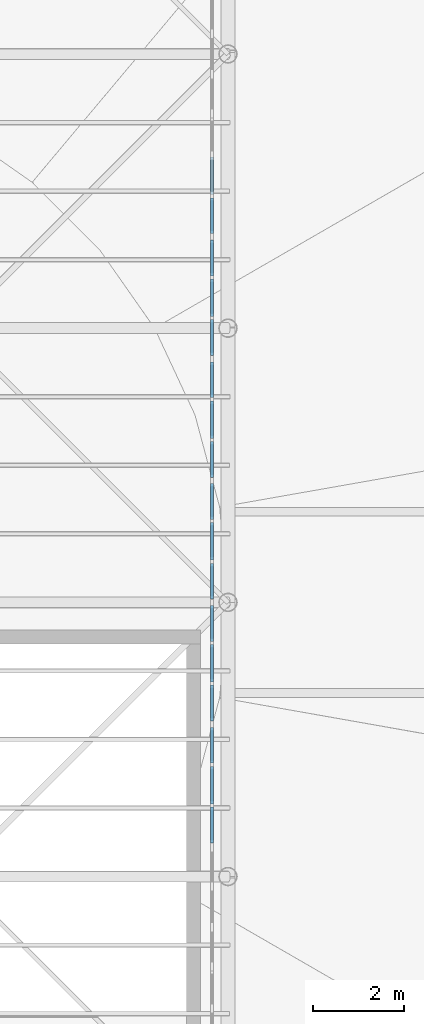
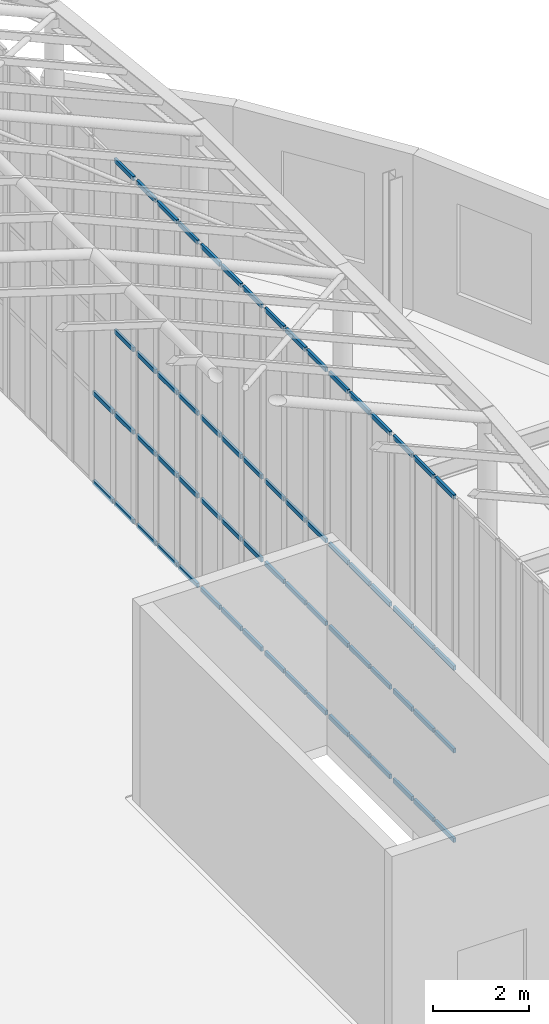
# One storey, part 48 of 75: 66 members, 6 elements without a shape of their own.
"""IFC4 building model written with IfcOpenShell, lengths in metres."""

from ifc_helpers import new_model, si_unit, direction, frame, origin, origin_2d, place, context, subcontext, project, spatial, rectangle, extrude, material, material_profile, profile_set, type_object, element, aggregate, save


model = new_model("IFC4")

# Units and contexts
model_context = context("Model", 3, precision=1e-05, world=origin(), true_north=direction((0.0, 1.0)))
body_context = subcontext(model_context, "Body", "Model", "MODEL_VIEW")
ifc_project = project(units=[si_unit("LENGTHUNIT", "METRE"), si_unit("AREAUNIT", "SQUARE_METRE"), si_unit("VOLUMEUNIT", "CUBIC_METRE"), si_unit("PLANEANGLEUNIT", "RADIAN"), si_unit("MASSUNIT", "GRAM", prefix="KILO")], contexts=[model_context])

# Site, building, storey
site_placement = place(None, origin())
site = spatial("IfcSite", under=ifc_project, at=site_placement, CompositionType="ELEMENT")
building_placement = place(site_placement, origin())
building = spatial("IfcBuilding", under=site, at=building_placement, Name="Kolvaren Corner Interchange", CompositionType="ELEMENT")
storey_placement = place(building_placement, frame((0.0, 0.0, 10.5)))
storey = spatial("IfcBuildingStorey", under=building, at=storey_placement, Name="L03", CompositionType="ELEMENT", Elevation=10.5)

# Curtain wall, members
ifc_material_1 = material(Name="Unitised Aluminium and Solar-Control Glass Curtain Wall", Category="aluminium")
curtain_wall_type = type_object("IfcCurtainWallType", Name="CW-V1-CLER", PredefinedType="NOTDEFINED", material=ifc_material_1)
curtain_wall_1_placement = place(storey_placement, origin())
curtain_wall_1 = element("IfcCurtainWall", 1, at=curtain_wall_1_placement, inside=storey, type_object=curtain_wall_type, Name="Gridshell East End Curtain Wall Bay 05", PredefinedType="NOTDEFINED")
ifc_material_2 = material(Name="Anodised Aluminium Framing", Category="aluminium")
ifc_material_profile = material_profile(ifc_material_2, rectangle(XDim=0.06005859375, YDim=0.110107421875, at=origin_2d()), Name="ALU 60x110")
ifc_profile_set = profile_set([ifc_material_profile], Name="Anodised Aluminium Framing")
member_type = type_object("IfcMemberType", Name="TRN-ALU60x110", PredefinedType="USERDEFINED", material=ifc_profile_set)
member_1_placement = place(storey_placement, frame((131.64990234375, 42.73681640625, 0.030029296875), z_axis=(0.0, 1.0, 0.0), x_axis=(-1.0, 0.0, 0.0)))
member_1 = element("IfcMember", 2, at=member_1_placement, type_object=member_type, Name="CW-098 transom 1.1", ObjectType="TRANSOM", PredefinedType="USERDEFINED", context=body_context, shape_type="SweptSolid", body=[
    extrude(rectangle(XDim=0.06005859375, YDim=0.110107421875, at=origin_2d()), origin(), (0.0, 0.0, 1.0), 0.78369140625),
])
member_2_placement = place(storey_placement, frame((131.64990234375, 42.73681640625, 2.300048828125), z_axis=(0.0, 1.0, 0.0), x_axis=(-1.0, 0.0, 0.0)))
member_2 = element("IfcMember", 3, at=member_2_placement, type_object=member_type, Name="CW-098 transom 1.2", ObjectType="TRANSOM", PredefinedType="USERDEFINED", context=body_context, shape_type="SweptSolid", body=[
    extrude(rectangle(XDim=0.06005859375, YDim=0.110107421875, at=origin_2d()), origin(), (0.0, 0.0, 1.0), 0.78369140625),
])
member_3_placement = place(storey_placement, frame((131.64990234375, 42.73681640625, 4.39990234375), z_axis=(0.0, 1.0, 0.0), x_axis=(-1.0, 0.0, 0.0)))
member_3 = element("IfcMember", 4, at=member_3_placement, type_object=member_type, Name="CW-098 transom 1.3", ObjectType="TRANSOM", PredefinedType="USERDEFINED", context=body_context, shape_type="SweptSolid", body=[
    extrude(rectangle(XDim=0.06005859375, YDim=0.110107421875, at=origin_2d()), origin(), (0.0, 0.0, 1.0), 0.78369140625),
])
member_4_placement = place(storey_placement, frame((131.64990234375, 42.73681640625, 8.741943359375), z_axis=(0.0, 1.0, 0.0), x_axis=(-1.0, 0.0, 0.0)))
member_4 = element("IfcMember", 5, at=member_4_placement, type_object=member_type, Name="CW-098 transom 1.4", ObjectType="TRANSOM", PredefinedType="USERDEFINED", context=body_context, shape_type="SweptSolid", body=[
    extrude(rectangle(XDim=0.06005859375, YDim=0.110107421875, at=origin_2d()), origin(), (0.0, 0.0, 1.0), 0.78369140625),
])
member_5_placement = place(storey_placement, frame((131.64990234375, 43.590576171875, 0.030029296875), z_axis=(0.0, 1.0, 0.0), x_axis=(-1.0, 0.0, 0.0)))
member_5 = element("IfcMember", 6, at=member_5_placement, type_object=member_type, Name="CW-098 transom 2.1", ObjectType="TRANSOM", PredefinedType="USERDEFINED", context=body_context, shape_type="SweptSolid", body=[
    extrude(rectangle(XDim=0.06005859375, YDim=0.110107421875, at=origin_2d()), origin(), (0.0, 0.0, 1.0), 0.81884765625),
])
member_6_placement = place(storey_placement, frame((131.64990234375, 43.590576171875, 2.300048828125), z_axis=(0.0, 1.0, 0.0), x_axis=(-1.0, 0.0, 0.0)))
member_6 = element("IfcMember", 7, at=member_6_placement, type_object=member_type, Name="CW-098 transom 2.2", ObjectType="TRANSOM", PredefinedType="USERDEFINED", context=body_context, shape_type="SweptSolid", body=[
    extrude(rectangle(XDim=0.06005859375, YDim=0.110107421875, at=origin_2d()), origin(), (0.0, 0.0, 1.0), 0.81884765625),
])
member_7_placement = place(storey_placement, frame((131.64990234375, 43.590576171875, 4.39990234375), z_axis=(0.0, 1.0, 0.0), x_axis=(-1.0, 0.0, 0.0)))
member_7 = element("IfcMember", 8, at=member_7_placement, type_object=member_type, Name="CW-098 transom 2.3", ObjectType="TRANSOM", PredefinedType="USERDEFINED", context=body_context, shape_type="SweptSolid", body=[
    extrude(rectangle(XDim=0.06005859375, YDim=0.110107421875, at=origin_2d()), origin(), (0.0, 0.0, 1.0), 0.81884765625),
])
member_8_placement = place(storey_placement, frame((131.64990234375, 43.590576171875, 8.741943359375), z_axis=(0.0, 1.0, 0.0), x_axis=(-1.0, 0.0, 0.0)))
member_8 = element("IfcMember", 9, at=member_8_placement, type_object=member_type, Name="CW-098 transom 2.4", ObjectType="TRANSOM", PredefinedType="USERDEFINED", context=body_context, shape_type="SweptSolid", body=[
    extrude(rectangle(XDim=0.06005859375, YDim=0.110107421875, at=origin_2d()), origin(), (0.0, 0.0, 1.0), 0.81884765625),
])
member_9_placement = place(storey_placement, frame((131.64990234375, 44.4794921875, 0.030029296875), z_axis=(0.0, 1.0, 0.0), x_axis=(-1.0, 0.0, 0.0)))
member_9 = element("IfcMember", 10, at=member_9_placement, type_object=member_type, Name="CW-098 transom 3.1", ObjectType="TRANSOM", PredefinedType="USERDEFINED", context=body_context, shape_type="SweptSolid", body=[
    extrude(rectangle(XDim=0.06005859375, YDim=0.110107421875, at=origin_2d()), origin(), (0.0, 0.0, 1.0), 0.78369140625),
])
member_10_placement = place(storey_placement, frame((131.64990234375, 44.4794921875, 2.300048828125), z_axis=(0.0, 1.0, 0.0), x_axis=(-1.0, 0.0, 0.0)))
member_10 = element("IfcMember", 11, at=member_10_placement, type_object=member_type, Name="CW-098 transom 3.2", ObjectType="TRANSOM", PredefinedType="USERDEFINED", context=body_context, shape_type="SweptSolid", body=[
    extrude(rectangle(XDim=0.06005859375, YDim=0.110107421875, at=origin_2d()), origin(), (0.0, 0.0, 1.0), 0.78369140625),
])
member_11_placement = place(storey_placement, frame((131.64990234375, 44.4794921875, 4.39990234375), z_axis=(0.0, 1.0, 0.0), x_axis=(-1.0, 0.0, 0.0)))
member_11 = element("IfcMember", 12, at=member_11_placement, type_object=member_type, Name="CW-098 transom 3.3", ObjectType="TRANSOM", PredefinedType="USERDEFINED", context=body_context, shape_type="SweptSolid", body=[
    extrude(rectangle(XDim=0.06005859375, YDim=0.110107421875, at=origin_2d()), origin(), (0.0, 0.0, 1.0), 0.78369140625),
])
member_12_placement = place(storey_placement, frame((131.64990234375, 44.4794921875, 8.741943359375), z_axis=(0.0, 1.0, 0.0), x_axis=(-1.0, 0.0, 0.0)))
member_12 = element("IfcMember", 13, at=member_12_placement, type_object=member_type, Name="CW-098 transom 3.4", ObjectType="TRANSOM", PredefinedType="USERDEFINED", context=body_context, shape_type="SweptSolid", body=[
    extrude(rectangle(XDim=0.06005859375, YDim=0.110107421875, at=origin_2d()), origin(), (0.0, 0.0, 1.0), 0.78369140625),
])
aggregate(curtain_wall_1, [member_1, member_2, member_3, member_4, member_5, member_6, member_7, member_8, member_9, member_10, member_11, member_12])

curtain_wall_2_placement = place(storey_placement, origin())
curtain_wall_2 = element("IfcCurtainWall", 14, at=curtain_wall_2_placement, inside=storey, type_object=curtain_wall_type, Name="Gridshell East End Curtain Wall Bay 06", PredefinedType="NOTDEFINED")
member_13_placement = place(storey_placement, frame((131.64990234375, 45.4033203125, 0.030029296875), z_axis=(0.0, 1.0, 0.0), x_axis=(-1.0, 0.0, 0.0)))
member_13 = element("IfcMember", 15, at=member_13_placement, type_object=member_type, Name="CW-099 transom 1.1", ObjectType="TRANSOM", PredefinedType="USERDEFINED", context=body_context, shape_type="SweptSolid", body=[
    extrude(rectangle(XDim=0.06005859375, YDim=0.110107421875, at=origin_2d()), origin(), (0.0, 0.0, 1.0), 0.783935546875),
])
member_14_placement = place(storey_placement, frame((131.64990234375, 45.4033203125, 2.300048828125), z_axis=(0.0, 1.0, 0.0), x_axis=(-1.0, 0.0, 0.0)))
member_14 = element("IfcMember", 16, at=member_14_placement, type_object=member_type, Name="CW-099 transom 1.2", ObjectType="TRANSOM", PredefinedType="USERDEFINED", context=body_context, shape_type="SweptSolid", body=[
    extrude(rectangle(XDim=0.06005859375, YDim=0.110107421875, at=origin_2d()), origin(), (0.0, 0.0, 1.0), 0.783935546875),
])
member_15_placement = place(storey_placement, frame((131.64990234375, 45.4033203125, 4.39990234375), z_axis=(0.0, 1.0, 0.0), x_axis=(-1.0, 0.0, 0.0)))
member_15 = element("IfcMember", 17, at=member_15_placement, type_object=member_type, Name="CW-099 transom 1.3", ObjectType="TRANSOM", PredefinedType="USERDEFINED", context=body_context, shape_type="SweptSolid", body=[
    extrude(rectangle(XDim=0.06005859375, YDim=0.110107421875, at=origin_2d()), origin(), (0.0, 0.0, 1.0), 0.783935546875),
])
member_16_placement = place(storey_placement, frame((131.64990234375, 45.4033203125, 8.741943359375), z_axis=(0.0, 1.0, 0.0), x_axis=(-1.0, 0.0, 0.0)))
member_16 = element("IfcMember", 18, at=member_16_placement, type_object=member_type, Name="CW-099 transom 1.4", ObjectType="TRANSOM", PredefinedType="USERDEFINED", context=body_context, shape_type="SweptSolid", body=[
    extrude(rectangle(XDim=0.06005859375, YDim=0.110107421875, at=origin_2d()), origin(), (0.0, 0.0, 1.0), 0.783935546875),
])
member_17_placement = place(storey_placement, frame((131.64990234375, 46.257080078125, 0.030029296875), z_axis=(0.0, 1.0, 0.0), x_axis=(-1.0, 0.0, 0.0)))
member_17 = element("IfcMember", 19, at=member_17_placement, type_object=member_type, Name="CW-099 transom 2.1", ObjectType="TRANSOM", PredefinedType="USERDEFINED", context=body_context, shape_type="SweptSolid", body=[
    extrude(rectangle(XDim=0.06005859375, YDim=0.110107421875, at=origin_2d()), origin(), (0.0, 0.0, 1.0), 0.819091796875),
])
member_18_placement = place(storey_placement, frame((131.64990234375, 46.257080078125, 2.300048828125), z_axis=(0.0, 1.0, 0.0), x_axis=(-1.0, 0.0, 0.0)))
member_18 = element("IfcMember", 20, at=member_18_placement, type_object=member_type, Name="CW-099 transom 2.2", ObjectType="TRANSOM", PredefinedType="USERDEFINED", context=body_context, shape_type="SweptSolid", body=[
    extrude(rectangle(XDim=0.06005859375, YDim=0.110107421875, at=origin_2d()), origin(), (0.0, 0.0, 1.0), 0.819091796875),
])
member_19_placement = place(storey_placement, frame((131.64990234375, 46.257080078125, 4.39990234375), z_axis=(0.0, 1.0, 0.0), x_axis=(-1.0, 0.0, 0.0)))
member_19 = element("IfcMember", 21, at=member_19_placement, type_object=member_type, Name="CW-099 transom 2.3", ObjectType="TRANSOM", PredefinedType="USERDEFINED", context=body_context, shape_type="SweptSolid", body=[
    extrude(rectangle(XDim=0.06005859375, YDim=0.110107421875, at=origin_2d()), origin(), (0.0, 0.0, 1.0), 0.819091796875),
])
member_20_placement = place(storey_placement, frame((131.64990234375, 46.257080078125, 8.741943359375), z_axis=(0.0, 1.0, 0.0), x_axis=(-1.0, 0.0, 0.0)))
member_20 = element("IfcMember", 22, at=member_20_placement, type_object=member_type, Name="CW-099 transom 2.4", ObjectType="TRANSOM", PredefinedType="USERDEFINED", context=body_context, shape_type="SweptSolid", body=[
    extrude(rectangle(XDim=0.06005859375, YDim=0.110107421875, at=origin_2d()), origin(), (0.0, 0.0, 1.0), 0.819091796875),
])
member_21_placement = place(storey_placement, frame((131.64990234375, 47.14599609375, 0.030029296875), z_axis=(0.0, 1.0, 0.0), x_axis=(-1.0, 0.0, 0.0)))
member_21 = element("IfcMember", 23, at=member_21_placement, type_object=member_type, Name="CW-099 transom 3.1", ObjectType="TRANSOM", PredefinedType="USERDEFINED", context=body_context, shape_type="SweptSolid", body=[
    extrude(rectangle(XDim=0.06005859375, YDim=0.110107421875, at=origin_2d()), origin(), (0.0, 0.0, 1.0), 0.783935546875),
])
member_22_placement = place(storey_placement, frame((131.64990234375, 47.14599609375, 2.300048828125), z_axis=(0.0, 1.0, 0.0), x_axis=(-1.0, 0.0, 0.0)))
member_22 = element("IfcMember", 24, at=member_22_placement, type_object=member_type, Name="CW-099 transom 3.2", ObjectType="TRANSOM", PredefinedType="USERDEFINED", context=body_context, shape_type="SweptSolid", body=[
    extrude(rectangle(XDim=0.06005859375, YDim=0.110107421875, at=origin_2d()), origin(), (0.0, 0.0, 1.0), 0.783935546875),
])
member_23_placement = place(storey_placement, frame((131.64990234375, 47.14599609375, 4.39990234375), z_axis=(0.0, 1.0, 0.0), x_axis=(-1.0, 0.0, 0.0)))
member_23 = element("IfcMember", 25, at=member_23_placement, type_object=member_type, Name="CW-099 transom 3.3", ObjectType="TRANSOM", PredefinedType="USERDEFINED", context=body_context, shape_type="SweptSolid", body=[
    extrude(rectangle(XDim=0.06005859375, YDim=0.110107421875, at=origin_2d()), origin(), (0.0, 0.0, 1.0), 0.783935546875),
])
member_24_placement = place(storey_placement, frame((131.64990234375, 47.14599609375, 8.741943359375), z_axis=(0.0, 1.0, 0.0), x_axis=(-1.0, 0.0, 0.0)))
member_24 = element("IfcMember", 26, at=member_24_placement, type_object=member_type, Name="CW-099 transom 3.4", ObjectType="TRANSOM", PredefinedType="USERDEFINED", context=body_context, shape_type="SweptSolid", body=[
    extrude(rectangle(XDim=0.06005859375, YDim=0.110107421875, at=origin_2d()), origin(), (0.0, 0.0, 1.0), 0.783935546875),
])
aggregate(curtain_wall_2, [member_13, member_14, member_15, member_16, member_17, member_18, member_19, member_20, member_21, member_22, member_23, member_24])

curtain_wall_3_placement = place(storey_placement, origin())
curtain_wall_3 = element("IfcCurtainWall", 27, at=curtain_wall_3_placement, inside=storey, type_object=curtain_wall_type, Name="Gridshell East End Curtain Wall Bay 07", PredefinedType="NOTDEFINED")
member_25_placement = place(storey_placement, frame((131.64990234375, 48.070068359375, 0.030029296875), z_axis=(0.0, 1.0, 0.0), x_axis=(-1.0, 0.0, 0.0)))
member_25 = element("IfcMember", 28, at=member_25_placement, type_object=member_type, Name="CW-100 transom 1.1", ObjectType="TRANSOM", PredefinedType="USERDEFINED", context=body_context, shape_type="SweptSolid", body=[
    extrude(rectangle(XDim=0.06005859375, YDim=0.110107421875, at=origin_2d()), origin(), (0.0, 0.0, 1.0), 0.783935546875),
])
member_26_placement = place(storey_placement, frame((131.64990234375, 48.070068359375, 2.300048828125), z_axis=(0.0, 1.0, 0.0), x_axis=(-1.0, 0.0, 0.0)))
member_26 = element("IfcMember", 29, at=member_26_placement, type_object=member_type, Name="CW-100 transom 1.2", ObjectType="TRANSOM", PredefinedType="USERDEFINED", context=body_context, shape_type="SweptSolid", body=[
    extrude(rectangle(XDim=0.06005859375, YDim=0.110107421875, at=origin_2d()), origin(), (0.0, 0.0, 1.0), 0.783935546875),
])
member_27_placement = place(storey_placement, frame((131.64990234375, 48.070068359375, 4.39990234375), z_axis=(0.0, 1.0, 0.0), x_axis=(-1.0, 0.0, 0.0)))
member_27 = element("IfcMember", 30, at=member_27_placement, type_object=member_type, Name="CW-100 transom 1.3", ObjectType="TRANSOM", PredefinedType="USERDEFINED", context=body_context, shape_type="SweptSolid", body=[
    extrude(rectangle(XDim=0.06005859375, YDim=0.110107421875, at=origin_2d()), origin(), (0.0, 0.0, 1.0), 0.783935546875),
])
member_28_placement = place(storey_placement, frame((131.64990234375, 48.070068359375, 8.741943359375), z_axis=(0.0, 1.0, 0.0), x_axis=(-1.0, 0.0, 0.0)))
member_28 = element("IfcMember", 31, at=member_28_placement, type_object=member_type, Name="CW-100 transom 1.4", ObjectType="TRANSOM", PredefinedType="USERDEFINED", context=body_context, shape_type="SweptSolid", body=[
    extrude(rectangle(XDim=0.06005859375, YDim=0.110107421875, at=origin_2d()), origin(), (0.0, 0.0, 1.0), 0.783935546875),
])
member_29_placement = place(storey_placement, frame((131.64990234375, 48.923828125, 0.030029296875), z_axis=(0.0, 1.0, 0.0), x_axis=(-1.0, 0.0, 0.0)))
member_29 = element("IfcMember", 32, at=member_29_placement, type_object=member_type, Name="CW-100 transom 2.1", ObjectType="TRANSOM", PredefinedType="USERDEFINED", context=body_context, shape_type="SweptSolid", body=[
    extrude(rectangle(XDim=0.06005859375, YDim=0.110107421875, at=origin_2d()), origin(), (0.0, 0.0, 1.0), 0.819091796875),
])
member_30_placement = place(storey_placement, frame((131.64990234375, 48.923828125, 2.300048828125), z_axis=(0.0, 1.0, 0.0), x_axis=(-1.0, 0.0, 0.0)))
member_30 = element("IfcMember", 33, at=member_30_placement, type_object=member_type, Name="CW-100 transom 2.2", ObjectType="TRANSOM", PredefinedType="USERDEFINED", context=body_context, shape_type="SweptSolid", body=[
    extrude(rectangle(XDim=0.06005859375, YDim=0.110107421875, at=origin_2d()), origin(), (0.0, 0.0, 1.0), 0.819091796875),
])
member_31_placement = place(storey_placement, frame((131.64990234375, 48.923828125, 4.39990234375), z_axis=(0.0, 1.0, 0.0), x_axis=(-1.0, 0.0, 0.0)))
member_31 = element("IfcMember", 34, at=member_31_placement, type_object=member_type, Name="CW-100 transom 2.3", ObjectType="TRANSOM", PredefinedType="USERDEFINED", context=body_context, shape_type="SweptSolid", body=[
    extrude(rectangle(XDim=0.06005859375, YDim=0.110107421875, at=origin_2d()), origin(), (0.0, 0.0, 1.0), 0.819091796875),
])
member_32_placement = place(storey_placement, frame((131.64990234375, 48.923828125, 8.741943359375), z_axis=(0.0, 1.0, 0.0), x_axis=(-1.0, 0.0, 0.0)))
member_32 = element("IfcMember", 35, at=member_32_placement, type_object=member_type, Name="CW-100 transom 2.4", ObjectType="TRANSOM", PredefinedType="USERDEFINED", context=body_context, shape_type="SweptSolid", body=[
    extrude(rectangle(XDim=0.06005859375, YDim=0.110107421875, at=origin_2d()), origin(), (0.0, 0.0, 1.0), 0.819091796875),
])
member_33_placement = place(storey_placement, frame((131.64990234375, 49.812744140625, 0.030029296875), z_axis=(0.0, 1.0, 0.0), x_axis=(-1.0, 0.0, 0.0)))
member_33 = element("IfcMember", 36, at=member_33_placement, type_object=member_type, Name="CW-100 transom 3.1", ObjectType="TRANSOM", PredefinedType="USERDEFINED", context=body_context, shape_type="SweptSolid", body=[
    extrude(rectangle(XDim=0.06005859375, YDim=0.110107421875, at=origin_2d()), origin(), (0.0, 0.0, 1.0), 0.783935546875),
])
member_34_placement = place(storey_placement, frame((131.64990234375, 49.812744140625, 2.300048828125), z_axis=(0.0, 1.0, 0.0), x_axis=(-1.0, 0.0, 0.0)))
member_34 = element("IfcMember", 37, at=member_34_placement, type_object=member_type, Name="CW-100 transom 3.2", ObjectType="TRANSOM", PredefinedType="USERDEFINED", context=body_context, shape_type="SweptSolid", body=[
    extrude(rectangle(XDim=0.06005859375, YDim=0.110107421875, at=origin_2d()), origin(), (0.0, 0.0, 1.0), 0.783935546875),
])
member_35_placement = place(storey_placement, frame((131.64990234375, 49.812744140625, 4.39990234375), z_axis=(0.0, 1.0, 0.0), x_axis=(-1.0, 0.0, 0.0)))
member_35 = element("IfcMember", 38, at=member_35_placement, type_object=member_type, Name="CW-100 transom 3.3", ObjectType="TRANSOM", PredefinedType="USERDEFINED", context=body_context, shape_type="SweptSolid", body=[
    extrude(rectangle(XDim=0.06005859375, YDim=0.110107421875, at=origin_2d()), origin(), (0.0, 0.0, 1.0), 0.783935546875),
])
member_36_placement = place(storey_placement, frame((131.64990234375, 49.812744140625, 8.741943359375), z_axis=(0.0, 1.0, 0.0), x_axis=(-1.0, 0.0, 0.0)))
member_36 = element("IfcMember", 39, at=member_36_placement, type_object=member_type, Name="CW-100 transom 3.4", ObjectType="TRANSOM", PredefinedType="USERDEFINED", context=body_context, shape_type="SweptSolid", body=[
    extrude(rectangle(XDim=0.06005859375, YDim=0.110107421875, at=origin_2d()), origin(), (0.0, 0.0, 1.0), 0.783935546875),
])
aggregate(curtain_wall_3, [member_25, member_26, member_27, member_28, member_29, member_30, member_31, member_32, member_33, member_34, member_35, member_36])

curtain_wall_4_placement = place(storey_placement, origin())
curtain_wall_4 = element("IfcCurtainWall", 40, at=curtain_wall_4_placement, inside=storey, type_object=curtain_wall_type, Name="Gridshell East End Curtain Wall Bay 08", PredefinedType="NOTDEFINED")
member_37_placement = place(storey_placement, frame((131.64990234375, 50.73681640625, 0.030029296875), z_axis=(0.0, 1.0, 0.0), x_axis=(-1.0, 0.0, 0.0)))
member_37 = element("IfcMember", 41, at=member_37_placement, type_object=member_type, Name="CW-101 transom 1.1", ObjectType="TRANSOM", PredefinedType="USERDEFINED", context=body_context, shape_type="SweptSolid", body=[
    extrude(rectangle(XDim=0.06005859375, YDim=0.110107421875, at=origin_2d()), origin(), (0.0, 0.0, 1.0), 0.78369140625),
])
member_38_placement = place(storey_placement, frame((131.64990234375, 50.73681640625, 2.300048828125), z_axis=(0.0, 1.0, 0.0), x_axis=(-1.0, 0.0, 0.0)))
member_38 = element("IfcMember", 42, at=member_38_placement, type_object=member_type, Name="CW-101 transom 1.2", ObjectType="TRANSOM", PredefinedType="USERDEFINED", context=body_context, shape_type="SweptSolid", body=[
    extrude(rectangle(XDim=0.06005859375, YDim=0.110107421875, at=origin_2d()), origin(), (0.0, 0.0, 1.0), 0.78369140625),
])
member_39_placement = place(storey_placement, frame((131.64990234375, 50.73681640625, 4.39990234375), z_axis=(0.0, 1.0, 0.0), x_axis=(-1.0, 0.0, 0.0)))
member_39 = element("IfcMember", 43, at=member_39_placement, type_object=member_type, Name="CW-101 transom 1.3", ObjectType="TRANSOM", PredefinedType="USERDEFINED", context=body_context, shape_type="SweptSolid", body=[
    extrude(rectangle(XDim=0.06005859375, YDim=0.110107421875, at=origin_2d()), origin(), (0.0, 0.0, 1.0), 0.78369140625),
])
member_40_placement = place(storey_placement, frame((131.64990234375, 50.73681640625, 8.741943359375), z_axis=(0.0, 1.0, 0.0), x_axis=(-1.0, 0.0, 0.0)))
member_40 = element("IfcMember", 44, at=member_40_placement, type_object=member_type, Name="CW-101 transom 1.4", ObjectType="TRANSOM", PredefinedType="USERDEFINED", context=body_context, shape_type="SweptSolid", body=[
    extrude(rectangle(XDim=0.06005859375, YDim=0.110107421875, at=origin_2d()), origin(), (0.0, 0.0, 1.0), 0.78369140625),
])
member_41_placement = place(storey_placement, frame((131.64990234375, 51.590576171875, 0.030029296875), z_axis=(0.0, 1.0, 0.0), x_axis=(-1.0, 0.0, 0.0)))
member_41 = element("IfcMember", 45, at=member_41_placement, type_object=member_type, Name="CW-101 transom 2.1", ObjectType="TRANSOM", PredefinedType="USERDEFINED", context=body_context, shape_type="SweptSolid", body=[
    extrude(rectangle(XDim=0.06005859375, YDim=0.110107421875, at=origin_2d()), origin(), (0.0, 0.0, 1.0), 0.81884765625),
])
member_42_placement = place(storey_placement, frame((131.64990234375, 51.590576171875, 2.300048828125), z_axis=(0.0, 1.0, 0.0), x_axis=(-1.0, 0.0, 0.0)))
member_42 = element("IfcMember", 46, at=member_42_placement, type_object=member_type, Name="CW-101 transom 2.2", ObjectType="TRANSOM", PredefinedType="USERDEFINED", context=body_context, shape_type="SweptSolid", body=[
    extrude(rectangle(XDim=0.06005859375, YDim=0.110107421875, at=origin_2d()), origin(), (0.0, 0.0, 1.0), 0.81884765625),
])
member_43_placement = place(storey_placement, frame((131.64990234375, 51.590576171875, 4.39990234375), z_axis=(0.0, 1.0, 0.0), x_axis=(-1.0, 0.0, 0.0)))
member_43 = element("IfcMember", 47, at=member_43_placement, type_object=member_type, Name="CW-101 transom 2.3", ObjectType="TRANSOM", PredefinedType="USERDEFINED", context=body_context, shape_type="SweptSolid", body=[
    extrude(rectangle(XDim=0.06005859375, YDim=0.110107421875, at=origin_2d()), origin(), (0.0, 0.0, 1.0), 0.81884765625),
])
member_44_placement = place(storey_placement, frame((131.64990234375, 51.590576171875, 8.741943359375), z_axis=(0.0, 1.0, 0.0), x_axis=(-1.0, 0.0, 0.0)))
member_44 = element("IfcMember", 48, at=member_44_placement, type_object=member_type, Name="CW-101 transom 2.4", ObjectType="TRANSOM", PredefinedType="USERDEFINED", context=body_context, shape_type="SweptSolid", body=[
    extrude(rectangle(XDim=0.06005859375, YDim=0.110107421875, at=origin_2d()), origin(), (0.0, 0.0, 1.0), 0.81884765625),
])
member_45_placement = place(storey_placement, frame((131.64990234375, 52.4794921875, 0.030029296875), z_axis=(0.0, 1.0, 0.0), x_axis=(-1.0, 0.0, 0.0)))
member_45 = element("IfcMember", 49, at=member_45_placement, type_object=member_type, Name="CW-101 transom 3.1", ObjectType="TRANSOM", PredefinedType="USERDEFINED", context=body_context, shape_type="SweptSolid", body=[
    extrude(rectangle(XDim=0.06005859375, YDim=0.110107421875, at=origin_2d()), origin(), (0.0, 0.0, 1.0), 0.78369140625),
])
member_46_placement = place(storey_placement, frame((131.64990234375, 52.4794921875, 2.300048828125), z_axis=(0.0, 1.0, 0.0), x_axis=(-1.0, 0.0, 0.0)))
member_46 = element("IfcMember", 50, at=member_46_placement, type_object=member_type, Name="CW-101 transom 3.2", ObjectType="TRANSOM", PredefinedType="USERDEFINED", context=body_context, shape_type="SweptSolid", body=[
    extrude(rectangle(XDim=0.06005859375, YDim=0.110107421875, at=origin_2d()), origin(), (0.0, 0.0, 1.0), 0.78369140625),
])
member_47_placement = place(storey_placement, frame((131.64990234375, 52.4794921875, 4.39990234375), z_axis=(0.0, 1.0, 0.0), x_axis=(-1.0, 0.0, 0.0)))
member_47 = element("IfcMember", 51, at=member_47_placement, type_object=member_type, Name="CW-101 transom 3.3", ObjectType="TRANSOM", PredefinedType="USERDEFINED", context=body_context, shape_type="SweptSolid", body=[
    extrude(rectangle(XDim=0.06005859375, YDim=0.110107421875, at=origin_2d()), origin(), (0.0, 0.0, 1.0), 0.78369140625),
])
member_48_placement = place(storey_placement, frame((131.64990234375, 52.4794921875, 8.741943359375), z_axis=(0.0, 1.0, 0.0), x_axis=(-1.0, 0.0, 0.0)))
member_48 = element("IfcMember", 52, at=member_48_placement, type_object=member_type, Name="CW-101 transom 3.4", ObjectType="TRANSOM", PredefinedType="USERDEFINED", context=body_context, shape_type="SweptSolid", body=[
    extrude(rectangle(XDim=0.06005859375, YDim=0.110107421875, at=origin_2d()), origin(), (0.0, 0.0, 1.0), 0.78369140625),
])
aggregate(curtain_wall_4, [member_37, member_38, member_39, member_40, member_41, member_42, member_43, member_44, member_45, member_46, member_47, member_48])

curtain_wall_5_placement = place(storey_placement, origin())
curtain_wall_5 = element("IfcCurtainWall", 53, at=curtain_wall_5_placement, inside=storey, type_object=curtain_wall_type, Name="Gridshell East End Curtain Wall Bay 09", PredefinedType="NOTDEFINED")
member_49_placement = place(storey_placement, frame((131.64990234375, 53.4033203125, 0.030029296875), z_axis=(0.0, 1.0, 0.0), x_axis=(-1.0, 0.0, 0.0)))
member_49 = element("IfcMember", 54, at=member_49_placement, type_object=member_type, Name="CW-102 transom 1.1", ObjectType="TRANSOM", PredefinedType="USERDEFINED", context=body_context, shape_type="SweptSolid", body=[
    extrude(rectangle(XDim=0.06005859375, YDim=0.110107421875, at=origin_2d()), origin(), (0.0, 0.0, 1.0), 0.783935546875),
])
member_50_placement = place(storey_placement, frame((131.64990234375, 53.4033203125, 2.300048828125), z_axis=(0.0, 1.0, 0.0), x_axis=(-1.0, 0.0, 0.0)))
member_50 = element("IfcMember", 55, at=member_50_placement, type_object=member_type, Name="CW-102 transom 1.2", ObjectType="TRANSOM", PredefinedType="USERDEFINED", context=body_context, shape_type="SweptSolid", body=[
    extrude(rectangle(XDim=0.06005859375, YDim=0.110107421875, at=origin_2d()), origin(), (0.0, 0.0, 1.0), 0.783935546875),
])
member_51_placement = place(storey_placement, frame((131.64990234375, 53.4033203125, 4.39990234375), z_axis=(0.0, 1.0, 0.0), x_axis=(-1.0, 0.0, 0.0)))
member_51 = element("IfcMember", 56, at=member_51_placement, type_object=member_type, Name="CW-102 transom 1.3", ObjectType="TRANSOM", PredefinedType="USERDEFINED", context=body_context, shape_type="SweptSolid", body=[
    extrude(rectangle(XDim=0.06005859375, YDim=0.110107421875, at=origin_2d()), origin(), (0.0, 0.0, 1.0), 0.783935546875),
])
member_52_placement = place(storey_placement, frame((131.64990234375, 53.4033203125, 8.741943359375), z_axis=(0.0, 1.0, 0.0), x_axis=(-1.0, 0.0, 0.0)))
member_52 = element("IfcMember", 57, at=member_52_placement, type_object=member_type, Name="CW-102 transom 1.4", ObjectType="TRANSOM", PredefinedType="USERDEFINED", context=body_context, shape_type="SweptSolid", body=[
    extrude(rectangle(XDim=0.06005859375, YDim=0.110107421875, at=origin_2d()), origin(), (0.0, 0.0, 1.0), 0.783935546875),
])
member_53_placement = place(storey_placement, frame((131.64990234375, 54.257080078125, 0.030029296875), z_axis=(0.0, 1.0, 0.0), x_axis=(-1.0, 0.0, 0.0)))
member_53 = element("IfcMember", 58, at=member_53_placement, type_object=member_type, Name="CW-102 transom 2.1", ObjectType="TRANSOM", PredefinedType="USERDEFINED", context=body_context, shape_type="SweptSolid", body=[
    extrude(rectangle(XDim=0.06005859375, YDim=0.110107421875, at=origin_2d()), origin(), (0.0, 0.0, 1.0), 0.819091796875),
])
member_54_placement = place(storey_placement, frame((131.64990234375, 54.257080078125, 2.300048828125), z_axis=(0.0, 1.0, 0.0), x_axis=(-1.0, 0.0, 0.0)))
member_54 = element("IfcMember", 59, at=member_54_placement, type_object=member_type, Name="CW-102 transom 2.2", ObjectType="TRANSOM", PredefinedType="USERDEFINED", context=body_context, shape_type="SweptSolid", body=[
    extrude(rectangle(XDim=0.06005859375, YDim=0.110107421875, at=origin_2d()), origin(), (0.0, 0.0, 1.0), 0.819091796875),
])
member_55_placement = place(storey_placement, frame((131.64990234375, 54.257080078125, 4.39990234375), z_axis=(0.0, 1.0, 0.0), x_axis=(-1.0, 0.0, 0.0)))
member_55 = element("IfcMember", 60, at=member_55_placement, type_object=member_type, Name="CW-102 transom 2.3", ObjectType="TRANSOM", PredefinedType="USERDEFINED", context=body_context, shape_type="SweptSolid", body=[
    extrude(rectangle(XDim=0.06005859375, YDim=0.110107421875, at=origin_2d()), origin(), (0.0, 0.0, 1.0), 0.819091796875),
])
member_56_placement = place(storey_placement, frame((131.64990234375, 54.257080078125, 8.741943359375), z_axis=(0.0, 1.0, 0.0), x_axis=(-1.0, 0.0, 0.0)))
member_56 = element("IfcMember", 61, at=member_56_placement, type_object=member_type, Name="CW-102 transom 2.4", ObjectType="TRANSOM", PredefinedType="USERDEFINED", context=body_context, shape_type="SweptSolid", body=[
    extrude(rectangle(XDim=0.06005859375, YDim=0.110107421875, at=origin_2d()), origin(), (0.0, 0.0, 1.0), 0.819091796875),
])
member_57_placement = place(storey_placement, frame((131.64990234375, 55.14599609375, 0.030029296875), z_axis=(0.0, 1.0, 0.0), x_axis=(-1.0, 0.0, 0.0)))
member_57 = element("IfcMember", 62, at=member_57_placement, type_object=member_type, Name="CW-102 transom 3.1", ObjectType="TRANSOM", PredefinedType="USERDEFINED", context=body_context, shape_type="SweptSolid", body=[
    extrude(rectangle(XDim=0.06005859375, YDim=0.110107421875, at=origin_2d()), origin(), (0.0, 0.0, 1.0), 0.783935546875),
])
member_58_placement = place(storey_placement, frame((131.64990234375, 55.14599609375, 2.300048828125), z_axis=(0.0, 1.0, 0.0), x_axis=(-1.0, 0.0, 0.0)))
member_58 = element("IfcMember", 63, at=member_58_placement, type_object=member_type, Name="CW-102 transom 3.2", ObjectType="TRANSOM", PredefinedType="USERDEFINED", context=body_context, shape_type="SweptSolid", body=[
    extrude(rectangle(XDim=0.06005859375, YDim=0.110107421875, at=origin_2d()), origin(), (0.0, 0.0, 1.0), 0.783935546875),
])
member_59_placement = place(storey_placement, frame((131.64990234375, 55.14599609375, 4.39990234375), z_axis=(0.0, 1.0, 0.0), x_axis=(-1.0, 0.0, 0.0)))
member_59 = element("IfcMember", 64, at=member_59_placement, type_object=member_type, Name="CW-102 transom 3.3", ObjectType="TRANSOM", PredefinedType="USERDEFINED", context=body_context, shape_type="SweptSolid", body=[
    extrude(rectangle(XDim=0.06005859375, YDim=0.110107421875, at=origin_2d()), origin(), (0.0, 0.0, 1.0), 0.783935546875),
])
member_60_placement = place(storey_placement, frame((131.64990234375, 55.14599609375, 8.741943359375), z_axis=(0.0, 1.0, 0.0), x_axis=(-1.0, 0.0, 0.0)))
member_60 = element("IfcMember", 65, at=member_60_placement, type_object=member_type, Name="CW-102 transom 3.4", ObjectType="TRANSOM", PredefinedType="USERDEFINED", context=body_context, shape_type="SweptSolid", body=[
    extrude(rectangle(XDim=0.06005859375, YDim=0.110107421875, at=origin_2d()), origin(), (0.0, 0.0, 1.0), 0.783935546875),
])
aggregate(curtain_wall_5, [member_49, member_50, member_51, member_52, member_53, member_54, member_55, member_56, member_57, member_58, member_59, member_60])

curtain_wall_6_placement = place(storey_placement, origin())
curtain_wall_6 = element("IfcCurtainWall", 66, at=curtain_wall_6_placement, inside=storey, type_object=curtain_wall_type, Name="Gridshell East End Curtain Wall Bay 10", PredefinedType="NOTDEFINED")
member_61_placement = place(storey_placement, frame((131.64990234375, 56.070068359375, 0.030029296875), z_axis=(0.0, 1.0, 0.0), x_axis=(-1.0, 0.0, 0.0)))
member_61 = element("IfcMember", 67, at=member_61_placement, type_object=member_type, Name="CW-103 transom 1.1", ObjectType="TRANSOM", PredefinedType="USERDEFINED", context=body_context, shape_type="SweptSolid", body=[
    extrude(rectangle(XDim=0.06005859375, YDim=0.110107421875, at=origin_2d()), origin(), (0.0, 0.0, 1.0), 0.783935546875),
])
member_62_placement = place(storey_placement, frame((131.64990234375, 56.070068359375, 2.300048828125), z_axis=(0.0, 1.0, 0.0), x_axis=(-1.0, 0.0, 0.0)))
member_62 = element("IfcMember", 68, at=member_62_placement, type_object=member_type, Name="CW-103 transom 1.2", ObjectType="TRANSOM", PredefinedType="USERDEFINED", context=body_context, shape_type="SweptSolid", body=[
    extrude(rectangle(XDim=0.06005859375, YDim=0.110107421875, at=origin_2d()), origin(), (0.0, 0.0, 1.0), 0.783935546875),
])
member_63_placement = place(storey_placement, frame((131.64990234375, 56.070068359375, 4.39990234375), z_axis=(0.0, 1.0, 0.0), x_axis=(-1.0, 0.0, 0.0)))
member_63 = element("IfcMember", 69, at=member_63_placement, type_object=member_type, Name="CW-103 transom 1.3", ObjectType="TRANSOM", PredefinedType="USERDEFINED", context=body_context, shape_type="SweptSolid", body=[
    extrude(rectangle(XDim=0.06005859375, YDim=0.110107421875, at=origin_2d()), origin(), (0.0, 0.0, 1.0), 0.783935546875),
])
member_64_placement = place(storey_placement, frame((131.64990234375, 56.070068359375, 8.741943359375), z_axis=(0.0, 1.0, 0.0), x_axis=(-1.0, 0.0, 0.0)))
member_64 = element("IfcMember", 70, at=member_64_placement, type_object=member_type, Name="CW-103 transom 1.4", ObjectType="TRANSOM", PredefinedType="USERDEFINED", context=body_context, shape_type="SweptSolid", body=[
    extrude(rectangle(XDim=0.06005859375, YDim=0.110107421875, at=origin_2d()), origin(), (0.0, 0.0, 1.0), 0.783935546875),
])
member_65_placement = place(storey_placement, frame((131.64990234375, 56.923828125, 0.030029296875), z_axis=(0.0, 1.0, 0.0), x_axis=(-1.0, 0.0, 0.0)))
member_65 = element("IfcMember", 71, at=member_65_placement, type_object=member_type, Name="CW-103 transom 2.1", ObjectType="TRANSOM", PredefinedType="USERDEFINED", context=body_context, shape_type="SweptSolid", body=[
    extrude(rectangle(XDim=0.06005859375, YDim=0.110107421875, at=origin_2d()), origin(), (0.0, 0.0, 1.0), 0.819091796875),
])
member_66_placement = place(storey_placement, frame((131.64990234375, 56.923828125, 2.300048828125), z_axis=(0.0, 1.0, 0.0), x_axis=(-1.0, 0.0, 0.0)))
member_66 = element("IfcMember", 72, at=member_66_placement, type_object=member_type, Name="CW-103 transom 2.2", ObjectType="TRANSOM", PredefinedType="USERDEFINED", context=body_context, shape_type="SweptSolid", body=[
    extrude(rectangle(XDim=0.06005859375, YDim=0.110107421875, at=origin_2d()), origin(), (0.0, 0.0, 1.0), 0.819091796875),
])
aggregate(curtain_wall_6, [member_61, member_62, member_63, member_64, member_65, member_66])

save(model, "model.ifc")
